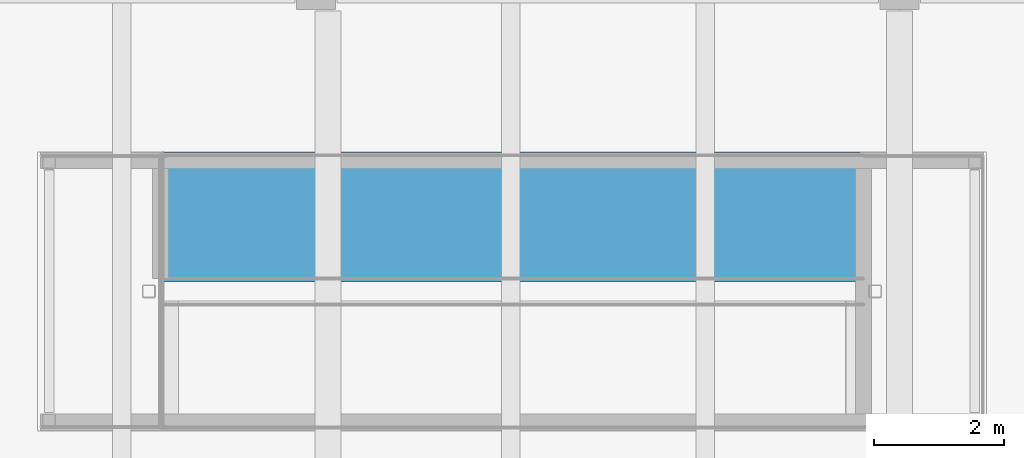
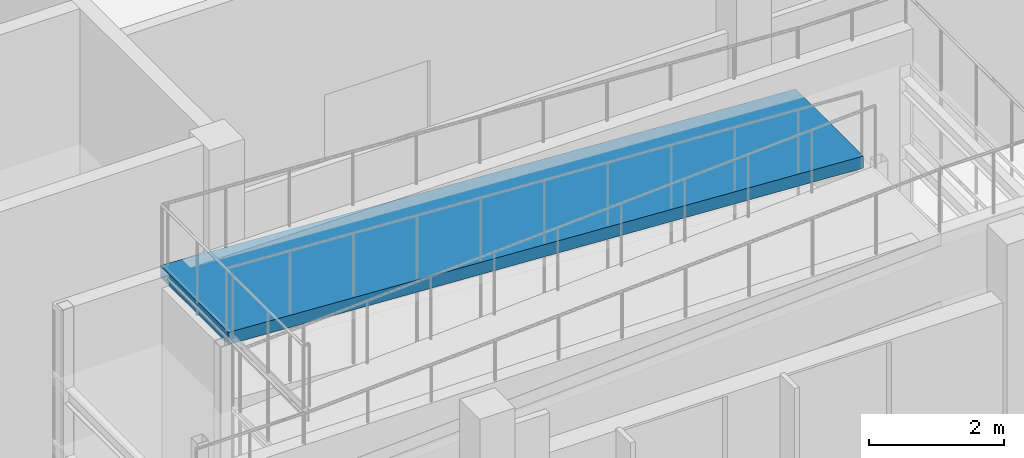
# One storey, part 95 of 110: 1 ramp flight, 1 element without a shape of its own.
"""IFC4 building model written with IfcOpenShell, lengths in metres."""

from ifc_helpers import new_model, si_unit, direction, frame, origin, place, context, subcontext, project, spatial, polyline, outline, extrude, material, layer, layer_set, type_object, element, aggregate, save


model = new_model("IFC4")

# Units and contexts
model_context = context("Model", 3, precision=1e-05, world=origin(), true_north=direction((0.0, 1.0)))
body_context = subcontext(model_context, "Body", "Model", "MODEL_VIEW")
ifc_project = project(units=[si_unit("LENGTHUNIT", "METRE"), si_unit("AREAUNIT", "SQUARE_METRE"), si_unit("VOLUMEUNIT", "CUBIC_METRE"), si_unit("PLANEANGLEUNIT", "RADIAN"), si_unit("MASSUNIT", "GRAM", prefix="KILO")], contexts=[model_context])

# Site, building, storey
site_placement = place(None, origin())
site = spatial("IfcSite", under=ifc_project, at=site_placement, CompositionType="ELEMENT")
building_placement = place(site_placement, origin())
building = spatial("IfcBuilding", under=site, at=building_placement, Name="Zacnel Wholesale Market", CompositionType="ELEMENT")
storey_placement = place(building_placement, frame((0.0, 0.0, 6.300048828125)))
storey = spatial("IfcBuildingStorey", under=building, at=storey_placement, Name="L02", CompositionType="ELEMENT", Elevation=6.300048828125)

# Ramp, ramp flight
ifc_material_1 = material(Name="Precast concrete C45/55", Category="concrete")
ramp_type = type_object("IfcRampType", Name="RMP-TWO-RUN-2000", PredefinedType="TWO_STRAIGHT_RUN_RAMP", material=ifc_material_1)
ramp_placement = place(storey_placement, origin())
ramp = element("IfcRamp", 1, at=ramp_placement, inside=storey, type_object=ramp_type, Name="Accessible ramp RP-04 (RMP-PROM-2)", PredefinedType="TWO_STRAIGHT_RUN_RAMP")
ifc_material_2 = material(Name="Precast concrete C45/55", Category="concrete")
ifc_layer = layer(ifc_material_2, 0.219970703125)
ifc_layer_set = layer_set([ifc_layer], Name="Precast concrete C45/55")
ramp_flight_type = type_object("IfcRampFlightType", Name="RFLT-PC-2000", PredefinedType="STRAIGHT", material=ifc_layer_set)
ramp_flight_placement = place(storey_placement, frame((125.44091796875, 12.5, 4.287353515625), z_axis=(0.0, 0.0, 1.0), x_axis=(-1.0, 0.0, 0.0)))
ramp_flight = element("IfcRampFlight", 2, at=ramp_flight_placement, type_object=ramp_flight_type, Name="Accessible ramp RP-04 (RMP-PROM-2) flight 8", PredefinedType="STRAIGHT", context=body_context, shape_type="SweptSolid", body=[
    extrude(outline(polyline([(0.0, 0.0), (10.841064453125, 0.612548828125), (10.841064453125, 0.392578125), (0.0, -0.219970703125), (0.0, 0.0)])), frame((0.0, 1.0, 0.0), z_axis=(0.0, -1.0, 0.0), x_axis=(1.0, 0.0, 0.0)), (0.0, 0.0, 1.0), 2.0),
])
aggregate(ramp, [ramp_flight])

save(model, "model.ifc")
